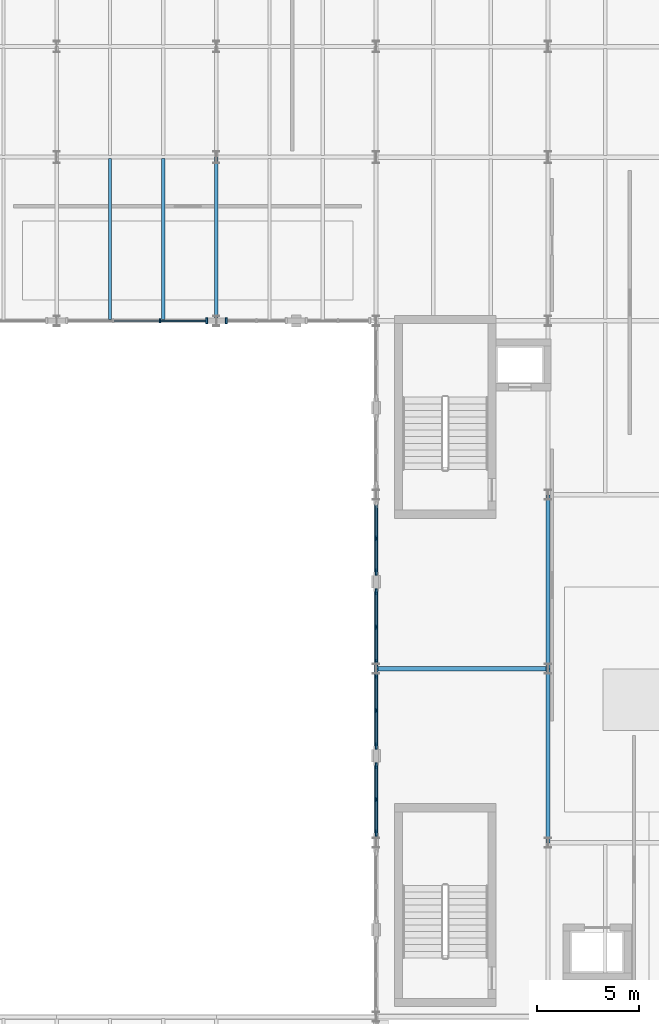
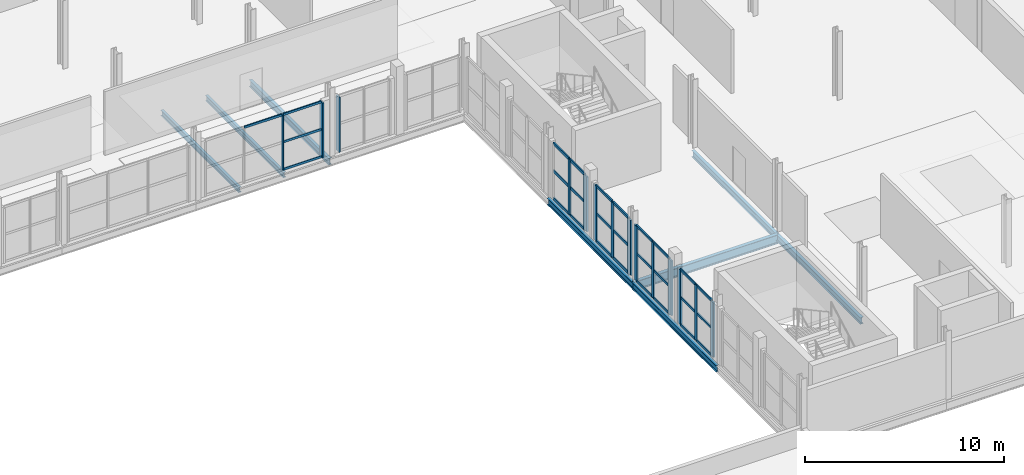
# One storey, part 25 of 58: 42 members, 8 beams, 6 elements without a shape of their own.
"""IFC4 building model written with IfcOpenShell, lengths in metres."""

from ifc_helpers import new_model, si_unit, direction, frame, origin, origin_2d, place, context, subcontext, project, spatial, rectangle, i_section, extrude, material, layer, layer_set, material_profile, profile_set, type_object, element, aggregate, save


model = new_model("IFC4")

# Units and contexts
model_context = context("Model", 3, precision=1e-05, world=origin(), true_north=direction((0.0, 1.0)))
body_context = subcontext(model_context, "Body", "Model", "MODEL_VIEW")
ifc_project = project(units=[si_unit("LENGTHUNIT", "METRE"), si_unit("AREAUNIT", "SQUARE_METRE"), si_unit("VOLUMEUNIT", "CUBIC_METRE"), si_unit("PLANEANGLEUNIT", "RADIAN"), si_unit("MASSUNIT", "GRAM", prefix="KILO")], contexts=[model_context])

# Site, building, storey
site_placement = place(None, origin())
site = spatial("IfcSite", under=ifc_project, at=site_placement, CompositionType="ELEMENT")
building_placement = place(site_placement, origin())
building = spatial("IfcBuilding", under=site, at=building_placement, Name="Sefraquen Railside Congress Hotel", CompositionType="ELEMENT")
storey_placement = place(building_placement, frame((0.0, 0.0, 16.199951171875)))
storey = spatial("IfcBuildingStorey", under=building, at=storey_placement, Name="L03", CompositionType="ELEMENT", Elevation=16.199951171875)

# Beams
ifc_material_1 = material(Name="Steel S355JR", Category="steel")
ifc_material_profile_1 = material_profile(ifc_material_1, i_section(OverallWidth=0.179931640625, OverallDepth=0.39990234375, WebThickness=0.008544921875, FlangeThickness=0.013427734375, FilletRadius=0.02099609375, at=origin_2d()), Name="IPE 400")
ifc_profile_set_1 = profile_set([ifc_material_profile_1], Name="Steel S355JR")
beam_type_1 = type_object("IfcBeamType", Name="TB-BM-400I", PredefinedType="BEAM", material=ifc_profile_set_1)
beam_1_placement = place(storey_placement, frame((95.39990234375, 88.0, -0.47998046875), z_axis=(0.0, 1.0, 0.0), x_axis=(-1.0, 0.0, 0.0)))
element("IfcBeam", 1, at=beam_1_placement, inside=storey, type_object=beam_type_1, Name="Floor beam BM-L03-1215", PredefinedType="BEAM", context=body_context, shape_type="SweptSolid", body=[
    extrude(i_section(OverallWidth=0.179931640625, OverallDepth=0.39990234375, WebThickness=0.008544921875, FlangeThickness=0.013427734375, FilletRadius=0.02099609375, at=origin_2d()), origin(), (0.0, 0.0, 1.0), 8.0),
])
for number, where, z_axis, x_axis, name in (
    (2, (103.199951171875, 62.5, -0.47998046875), (0.0, 1.0, 0.0), (-1.0, 0.0, 0.0), "Floor beam BM-L03-1224"),
    (3, (103.199951171875, 71.0, -0.47998046875), (0.0, 1.0, 0.0), (-1.0, 0.0, 0.0), "Floor beam BM-L03-1225"),
    (4, (111.60009765625, 62.5, -0.47998046875), (0.0, 1.0, 0.0), (-1.0, 0.0, 0.0), "Floor beam BM-L03-1232"),
    (5, (111.60009765625, 71.0, -0.47998046875), (0.0, 1.0, 0.0), (-1.0, 0.0, 0.0), "Floor beam BM-L03-1233"),
):
    element("IfcBeam", number, at=place(storey_placement, frame(where, z_axis=z_axis, x_axis=x_axis)), inside=storey, type_object=beam_type_1, Name=name, PredefinedType="BEAM", context=body_context, shape_type="SweptSolid", body=[
        extrude(i_section(OverallWidth=0.179931640625, OverallDepth=0.39990234375, WebThickness=0.008544921875, FlangeThickness=0.013427734375, FilletRadius=0.02099609375, at=origin_2d()), origin(), (0.0, 0.0, 1.0), 8.5),
    ])
ifc_material_profile_2 = material_profile(ifc_material_1, i_section(OverallWidth=0.2099609375, OverallDepth=0.550048828125, WebThickness=0.010986328125, FlangeThickness=0.01708984375, FilletRadius=0.02392578125, at=origin_2d()), Name="IPE 550")
ifc_profile_set_2 = profile_set([ifc_material_profile_2], Name="Steel S355JR")
beam_type_2 = type_object("IfcBeamType", Name="TB-GIR-550", PredefinedType="T_BEAM", material=ifc_profile_set_2)
beam_2_placement = place(storey_placement, frame((103.199951171875, 71.0, -0.554931640625), z_axis=(1.0, 0.0, 0.0), x_axis=(0.0, 1.0, 0.0)))
element("IfcBeam", 6, at=beam_2_placement, inside=storey, type_object=beam_type_2, Name="Primary girder BM-L03-1044", PredefinedType="T_BEAM", context=body_context, shape_type="SweptSolid", body=[
    extrude(i_section(OverallWidth=0.2099609375, OverallDepth=0.550048828125, WebThickness=0.010986328125, FlangeThickness=0.01708984375, FilletRadius=0.02392578125, at=origin_2d()), origin(), (0.0, 0.0, 1.0), 8.400146484375),
])
ifc_material_profile_3 = material_profile(ifc_material_1, i_section(OverallWidth=0.159912109375, OverallDepth=0.330078125, WebThickness=0.007568359375, FlangeThickness=0.011474609375, FilletRadius=0.01806640625, at=origin_2d()), Name="IPE 330")
ifc_profile_set_3 = profile_set([ifc_material_profile_3], Name="Steel S355JR")
beam_type_3 = type_object("IfcBeamType", Name="TB-JST-330", PredefinedType="JOIST", material=ifc_profile_set_3)
for number, where, z_axis, x_axis, name in (
    (7, (90.199951171875, 88.074951171875, -0.445068359375), (0.0, 1.0, 0.0), (-1.0, 0.0, 0.0), "Composite floor joist BM-L03-J0776"),
    (8, (92.800048828125, 88.074951171875, -0.445068359375), (0.0, 1.0, 0.0), (-1.0, 0.0, 0.0), "Composite floor joist BM-L03-J0777"),
):
    element("IfcBeam", number, at=place(storey_placement, frame(where, z_axis=z_axis, x_axis=x_axis)), inside=storey, type_object=beam_type_3, Name=name, PredefinedType="JOIST", context=body_context, shape_type="SweptSolid", body=[
        extrude(i_section(OverallWidth=0.159912109375, OverallDepth=0.330078125, WebThickness=0.007568359375, FlangeThickness=0.011474609375, FilletRadius=0.01806640625, at=origin_2d()), origin(), (0.0, 0.0, 1.0), 7.85009765625),
    ])

# Curtain wall, member
ifc_material_2 = material(Name="Thermally broken anodised aluminium and low-E double glazing", Category="aluminium")
ifc_layer_1 = layer(ifc_material_2, 0.199951171875)
ifc_layer_set_1 = layer_set([ifc_layer_1], Name="Thermally broken anodised aluminium and low-E double glazing")
curtain_wall_type_1 = type_object("IfcCurtainWallType", Name="TCW-UCW-02", PredefinedType="USERDEFINED", material=ifc_layer_set_1)
curtain_wall_1_placement = place(storey_placement, origin())
curtain_wall_1 = element("IfcCurtainWall", 9, at=curtain_wall_1_placement, inside=storey, type_object=curtain_wall_type_1, Name="Meeting Wing L03 courtyard north curtain wall 3 bay 2", ObjectType="UNITISED CURTAIN WALL", PredefinedType="USERDEFINED")
ifc_material_3 = material(Name="Thermally broken anodised aluminium 6063-T6", Category="aluminium")
ifc_material_profile_4 = material_profile(ifc_material_3, rectangle(XDim=0.070068359375, YDim=0.199951171875, at=origin_2d()), Name="CWM 70x200")
ifc_profile_set_4 = profile_set([ifc_material_profile_4], Name="Thermally broken anodised aluminium 6063-T6")
member_type_1 = type_object("IfcMemberType", Name="TM-CWM-03", PredefinedType="MULLION", material=ifc_profile_set_4)
member_1_placement = place(storey_placement, frame((92.639892578125, 88.0, 0.0), z_axis=(0.0, 0.0, 1.0), x_axis=(1.0, 0.0, 0.0)))
member_1 = element("IfcMember", 10, at=member_1_placement, type_object=member_type_1, Name="CW-L03-066-S2 mullion 3", PredefinedType="MULLION", context=body_context, shape_type="SweptSolid", body=[
    extrude(rectangle(XDim=0.070068359375, YDim=0.199951171875, at=origin_2d()), origin(), (0.0, 0.0, 1.0), 3.3701171875),
])

ifc_layer_2 = layer(ifc_material_2, 0.199951171875)
ifc_layer_set_2 = layer_set([ifc_layer_2], Name="Thermally broken anodised aluminium and low-E double glazing")
curtain_wall_type_2 = type_object("IfcCurtainWallType", Name="TCW-UCW-03", PredefinedType="USERDEFINED", material=ifc_layer_set_2)
curtain_wall_2_placement = place(storey_placement, origin())
curtain_wall_2 = element("IfcCurtainWall", 11, at=curtain_wall_2_placement, inside=storey, type_object=curtain_wall_type_2, Name="Meeting Wing L03 courtyard east curtain wall bay 3", ObjectType="UNITISED CURTAIN WALL", PredefinedType="USERDEFINED")
ifc_material_profile_5 = material_profile(ifc_material_3, rectangle(XDim=0.074951171875, YDim=0.219970703125, at=origin_2d()), Name="CWM 75x220")
ifc_profile_set_5 = profile_set([ifc_material_profile_5], Name="Thermally broken anodised aluminium 6063-T6")
member_type_2 = type_object("IfcMemberType", Name="TM-CWM-04", PredefinedType="MULLION", material=ifc_profile_set_5)
member_2_placement = place(storey_placement, frame((103.199951171875, 64.625, 0.0), z_axis=(0.0, 0.0, 1.0), x_axis=(1.0, 0.0, 0.0)))
member_2 = element("IfcMember", 12, at=member_2_placement, type_object=member_type_2, Name="CW-L03-067-S3 mullion 2", PredefinedType="MULLION", context=body_context, shape_type="SweptSolid", body=[
    extrude(rectangle(XDim=0.074951171875, YDim=0.219970703125, at=origin_2d()), origin(), (0.0, 0.0, 1.0), 3.3701171875),
])

curtain_wall_3_placement = place(storey_placement, origin())
curtain_wall_3 = element("IfcCurtainWall", 13, at=curtain_wall_3_placement, inside=storey, type_object=curtain_wall_type_2, Name="Meeting Wing L03 courtyard east curtain wall bay 4", ObjectType="UNITISED CURTAIN WALL", PredefinedType="USERDEFINED")
member_3_placement = place(storey_placement, frame((103.199951171875, 68.9599609375, 0.0), z_axis=(0.0, 0.0, 1.0), x_axis=(1.0, 0.0, 0.0)))
member_3 = element("IfcMember", 14, at=member_3_placement, type_object=member_type_2, Name="CW-L03-067-S4 mullion 2", PredefinedType="MULLION", context=body_context, shape_type="SweptSolid", body=[
    extrude(rectangle(XDim=0.074951171875, YDim=0.219970703125, at=origin_2d()), origin(), (0.0, 0.0, 1.0), 3.3701171875),
])

ifc_layer_3 = layer(ifc_material_2, 0.199951171875)
ifc_layer_set_3 = layer_set([ifc_layer_3], Name="Thermally broken anodised aluminium and low-E double glazing")
curtain_wall_type_3 = type_object("IfcCurtainWallType", Name="TCW-UCW-04", PredefinedType="USERDEFINED", material=ifc_layer_set_3)
curtain_wall_4_placement = place(storey_placement, origin())
curtain_wall_4 = element("IfcCurtainWall", 15, at=curtain_wall_4_placement, inside=storey, type_object=curtain_wall_type_3, Name="Meeting Wing L03 courtyard east curtain wall", ObjectType="UNITISED CURTAIN WALL", PredefinedType="USERDEFINED")
ifc_material_profile_6 = material_profile(ifc_material_3, rectangle(XDim=0.080078125, YDim=0.239990234375, at=origin_2d()), Name="CWM 80x240")
ifc_profile_set_6 = profile_set([ifc_material_profile_6], Name="Thermally broken anodised aluminium 6063-T6")
member_type_3 = type_object("IfcMemberType", Name="TM-CWM-05", PredefinedType="MULLION", material=ifc_profile_set_6)
member_4_placement = place(storey_placement, frame((103.199951171875, 73.0400390625, 0.0), z_axis=(0.0, 0.0, 1.0), x_axis=(1.0, 0.0, 0.0)))
member_4 = element("IfcMember", 16, at=member_4_placement, type_object=member_type_3, Name="CW-L03-068 mullion 2", PredefinedType="MULLION", context=body_context, shape_type="SweptSolid", body=[
    extrude(rectangle(XDim=0.080078125, YDim=0.239990234375, at=origin_2d()), origin(), (0.0, 0.0, 1.0), 3.3701171875),
])

curtain_wall_5_placement = place(storey_placement, origin())
curtain_wall_5 = element("IfcCurtainWall", 17, at=curtain_wall_5_placement, inside=storey, type_object=curtain_wall_type_3, Name="Meeting Wing L03 courtyard east curtain wall bay 2", ObjectType="UNITISED CURTAIN WALL", PredefinedType="USERDEFINED")
member_5_placement = place(storey_placement, frame((103.199951171875, 77.375, 0.0), z_axis=(0.0, 0.0, 1.0), x_axis=(1.0, 0.0, 0.0)))
member_5 = element("IfcMember", 18, at=member_5_placement, type_object=member_type_3, Name="CW-L03-068-S2 mullion 2", PredefinedType="MULLION", context=body_context, shape_type="SweptSolid", body=[
    extrude(rectangle(XDim=0.080078125, YDim=0.239990234375, at=origin_2d()), origin(), (0.0, 0.0, 1.0), 3.3701171875),
])

# Member
ifc_material_profile_7 = material_profile(ifc_material_3, rectangle(XDim=0.094970703125, YDim=0.300048828125, at=origin_2d()), Name="CWM 95x300")
ifc_profile_set_7 = profile_set([ifc_material_profile_7], Name="Thermally broken anodised aluminium 6063-T6")
member_type_4 = type_object("IfcMemberType", Name="TM-CWM-08", PredefinedType="MULLION", material=ifc_profile_set_7)
member_6_placement = place(storey_placement, frame((94.919921875, 88.0, 0.0), z_axis=(0.0, 0.0, 1.0), x_axis=(1.0, 0.0, 0.0)))
member_6 = element("IfcMember", 19, at=member_6_placement, type_object=member_type_4, Name="CW-L03-066-S2 mullion 4", PredefinedType="MULLION", context=body_context, shape_type="SweptSolid", body=[
    extrude(rectangle(XDim=0.094970703125, YDim=0.300048828125, at=origin_2d()), origin(), (0.0, 0.0, 1.0), 3.3701171875),
])

# Curtain wall, member
curtain_wall_6_placement = place(storey_placement, origin())
curtain_wall_6 = element("IfcCurtainWall", 20, at=curtain_wall_6_placement, inside=storey, type_object=curtain_wall_type_1, Name="Meeting Wing L03 courtyard north curtain wall 3 bay 3", ObjectType="UNITISED CURTAIN WALL", PredefinedType="USERDEFINED")
member_7_placement = place(storey_placement, frame((95.8798828125, 88.0, 0.0), z_axis=(0.0, 0.0, 1.0), x_axis=(1.0, 0.0, 0.0)))
member_7 = element("IfcMember", 21, at=member_7_placement, type_object=member_type_4, Name="CW-L03-066-S3 mullion 1", PredefinedType="MULLION", context=body_context, shape_type="SweptSolid", body=[
    extrude(rectangle(XDim=0.094970703125, YDim=0.300048828125, at=origin_2d()), origin(), (0.0, 0.0, 1.0), 3.3701171875),
])
aggregate(curtain_wall_6, [member_7])

# Member
member_8_placement = place(storey_placement, frame((103.199951171875, 62.97998046875, 0.0), z_axis=(0.0, 0.0, 1.0), x_axis=(1.0, 0.0, 0.0)))
member_8 = element("IfcMember", 22, at=member_8_placement, type_object=member_type_4, Name="CW-L03-067-S3 mullion 1", PredefinedType="MULLION", context=body_context, shape_type="SweptSolid", body=[
    extrude(rectangle(XDim=0.094970703125, YDim=0.300048828125, at=origin_2d()), origin(), (0.0, 0.0, 1.0), 3.3701171875),
])

member_9_placement = place(storey_placement, frame((103.199951171875, 66.27001953125, 0.0), z_axis=(0.0, 0.0, 1.0), x_axis=(1.0, 0.0, 0.0)))
member_9 = element("IfcMember", 23, at=member_9_placement, type_object=member_type_4, Name="CW-L03-067-S3 mullion 3", PredefinedType="MULLION", context=body_context, shape_type="SweptSolid", body=[
    extrude(rectangle(XDim=0.094970703125, YDim=0.300048828125, at=origin_2d()), origin(), (0.0, 0.0, 1.0), 3.3701171875),
])

member_10_placement = place(storey_placement, frame((103.199951171875, 67.22998046875, 0.0), z_axis=(0.0, 0.0, 1.0), x_axis=(1.0, 0.0, 0.0)))
member_10 = element("IfcMember", 24, at=member_10_placement, type_object=member_type_4, Name="CW-L03-067-S4 mullion 1", PredefinedType="MULLION", context=body_context, shape_type="SweptSolid", body=[
    extrude(rectangle(XDim=0.094970703125, YDim=0.300048828125, at=origin_2d()), origin(), (0.0, 0.0, 1.0), 3.3701171875),
])

member_11_placement = place(storey_placement, frame((103.199951171875, 70.68994140625, 0.0), z_axis=(0.0, 0.0, 1.0), x_axis=(1.0, 0.0, 0.0)))
member_11 = element("IfcMember", 25, at=member_11_placement, type_object=member_type_4, Name="CW-L03-067-S4 mullion 3", PredefinedType="MULLION", context=body_context, shape_type="SweptSolid", body=[
    extrude(rectangle(XDim=0.094970703125, YDim=0.300048828125, at=origin_2d()), origin(), (0.0, 0.0, 1.0), 3.3701171875),
])

member_12_placement = place(storey_placement, frame((103.199951171875, 71.31005859375, 0.0), z_axis=(0.0, 0.0, 1.0), x_axis=(1.0, 0.0, 0.0)))
member_12 = element("IfcMember", 26, at=member_12_placement, type_object=member_type_4, Name="CW-L03-068 mullion 1", PredefinedType="MULLION", context=body_context, shape_type="SweptSolid", body=[
    extrude(rectangle(XDim=0.094970703125, YDim=0.300048828125, at=origin_2d()), origin(), (0.0, 0.0, 1.0), 3.3701171875),
])

member_13_placement = place(storey_placement, frame((103.199951171875, 74.77001953125, 0.0), z_axis=(0.0, 0.0, 1.0), x_axis=(1.0, 0.0, 0.0)))
member_13 = element("IfcMember", 27, at=member_13_placement, type_object=member_type_4, Name="CW-L03-068 mullion 3", PredefinedType="MULLION", context=body_context, shape_type="SweptSolid", body=[
    extrude(rectangle(XDim=0.094970703125, YDim=0.300048828125, at=origin_2d()), origin(), (0.0, 0.0, 1.0), 3.3701171875),
])

member_14_placement = place(storey_placement, frame((103.199951171875, 75.72998046875, 0.0), z_axis=(0.0, 0.0, 1.0), x_axis=(1.0, 0.0, 0.0)))
member_14 = element("IfcMember", 28, at=member_14_placement, type_object=member_type_4, Name="CW-L03-068-S2 mullion 1", PredefinedType="MULLION", context=body_context, shape_type="SweptSolid", body=[
    extrude(rectangle(XDim=0.094970703125, YDim=0.300048828125, at=origin_2d()), origin(), (0.0, 0.0, 1.0), 3.3701171875),
])

ifc_material_profile_8 = material_profile(ifc_material_3, rectangle(XDim=0.06494140625, YDim=0.135009765625, at=origin_2d()), Name="CWT 65x135")
ifc_profile_set_8 = profile_set([ifc_material_profile_8], Name="Thermally broken anodised aluminium 6063-T6")
member_type_5 = type_object("IfcMemberType", Name="TM-CWT-02", PredefinedType="USERDEFINED", material=ifc_profile_set_8)
member_15_placement = place(storey_placement, frame((92.68505859375, 88.0, 0.0), z_axis=(1.0, 0.0, 0.0), x_axis=(0.0, 1.0, 0.0)))
member_15 = element("IfcMember", 29, at=member_15_placement, type_object=member_type_5, Name="CW-L03-066-S2 transom 1.3", ObjectType="TRANSOM", PredefinedType="USERDEFINED", context=body_context, shape_type="SweptSolid", body=[
    extrude(rectangle(XDim=0.06494140625, YDim=0.135009765625, at=origin_2d()), origin(), (0.0, 0.0, 1.0), 2.18994140625),
])

member_16_placement = place(storey_placement, frame((92.68505859375, 88.0, 1.68505859375), z_axis=(1.0, 0.0, 0.0), x_axis=(0.0, 1.0, 0.0)))
member_16 = element("IfcMember", 30, at=member_16_placement, type_object=member_type_5, Name="CW-L03-066-S2 transom 2.3", ObjectType="TRANSOM", PredefinedType="USERDEFINED", context=body_context, shape_type="SweptSolid", body=[
    extrude(rectangle(XDim=0.06494140625, YDim=0.135009765625, at=origin_2d()), origin(), (0.0, 0.0, 1.0), 2.18994140625),
])

member_17_placement = place(storey_placement, frame((90.405029296875, 88.0, 3.3701171875), z_axis=(1.0, 0.0, 0.0), x_axis=(0.0, 1.0, 0.0)))
member_17 = element("IfcMember", 31, at=member_17_placement, type_object=member_type_5, Name="CW-L03-066-S2 transom 3.2", ObjectType="TRANSOM", PredefinedType="USERDEFINED", context=body_context, shape_type="SweptSolid", body=[
    extrude(rectangle(XDim=0.06494140625, YDim=0.135009765625, at=origin_2d()), origin(), (0.0, 0.0, 1.0), 2.18994140625),
])

member_18_placement = place(storey_placement, frame((92.68505859375, 88.0, 3.3701171875), z_axis=(1.0, 0.0, 0.0), x_axis=(0.0, 1.0, 0.0)))
member_18 = element("IfcMember", 32, at=member_18_placement, type_object=member_type_5, Name="CW-L03-066-S2 transom 3.3", ObjectType="TRANSOM", PredefinedType="USERDEFINED", context=body_context, shape_type="SweptSolid", body=[
    extrude(rectangle(XDim=0.06494140625, YDim=0.135009765625, at=origin_2d()), origin(), (0.0, 0.0, 1.0), 2.18994140625),
])

aggregate(curtain_wall_1, [member_1, member_6, member_15, member_16, member_17, member_18])

ifc_material_profile_9 = material_profile(ifc_material_3, rectangle(XDim=0.070068359375, YDim=0.14990234375, at=origin_2d()), Name="CWT 70x150")
ifc_profile_set_9 = profile_set([ifc_material_profile_9], Name="Thermally broken anodised aluminium 6063-T6")
member_type_6 = type_object("IfcMemberType", Name="TM-CWT-03", PredefinedType="USERDEFINED", material=ifc_profile_set_9)
member_19_placement = place(storey_placement, frame((103.199951171875, 63.02490234375, 0.0), z_axis=(0.0, 1.0, 0.0), x_axis=(-1.0, 0.0, 0.0)))
member_19 = element("IfcMember", 33, at=member_19_placement, type_object=member_type_6, Name="CW-L03-067-S3 transom 1.1", ObjectType="TRANSOM", PredefinedType="USERDEFINED", context=body_context, shape_type="SweptSolid", body=[
    extrude(rectangle(XDim=0.070068359375, YDim=0.14990234375, at=origin_2d()), origin(), (0.0, 0.0, 1.0), 1.55517578125),
])

member_20_placement = place(storey_placement, frame((103.199951171875, 64.669921875, 0.0), z_axis=(0.0, 1.0, 0.0), x_axis=(-1.0, 0.0, 0.0)))
member_20 = element("IfcMember", 34, at=member_20_placement, type_object=member_type_6, Name="CW-L03-067-S3 transom 1.2", ObjectType="TRANSOM", PredefinedType="USERDEFINED", context=body_context, shape_type="SweptSolid", body=[
    extrude(rectangle(XDim=0.070068359375, YDim=0.14990234375, at=origin_2d()), origin(), (0.0, 0.0, 1.0), 1.55517578125),
])

member_21_placement = place(storey_placement, frame((103.199951171875, 63.02490234375, 1.68505859375), z_axis=(0.0, 1.0, 0.0), x_axis=(-1.0, 0.0, 0.0)))
member_21 = element("IfcMember", 35, at=member_21_placement, type_object=member_type_6, Name="CW-L03-067-S3 transom 2.1", ObjectType="TRANSOM", PredefinedType="USERDEFINED", context=body_context, shape_type="SweptSolid", body=[
    extrude(rectangle(XDim=0.070068359375, YDim=0.14990234375, at=origin_2d()), origin(), (0.0, 0.0, 1.0), 1.55517578125),
])

member_22_placement = place(storey_placement, frame((103.199951171875, 64.669921875, 1.68505859375), z_axis=(0.0, 1.0, 0.0), x_axis=(-1.0, 0.0, 0.0)))
member_22 = element("IfcMember", 36, at=member_22_placement, type_object=member_type_6, Name="CW-L03-067-S3 transom 2.2", ObjectType="TRANSOM", PredefinedType="USERDEFINED", context=body_context, shape_type="SweptSolid", body=[
    extrude(rectangle(XDim=0.070068359375, YDim=0.14990234375, at=origin_2d()), origin(), (0.0, 0.0, 1.0), 1.55517578125),
])

member_23_placement = place(storey_placement, frame((103.199951171875, 63.02490234375, 3.3701171875), z_axis=(0.0, 1.0, 0.0), x_axis=(-1.0, 0.0, 0.0)))
member_23 = element("IfcMember", 37, at=member_23_placement, type_object=member_type_6, Name="CW-L03-067-S3 transom 3.1", ObjectType="TRANSOM", PredefinedType="USERDEFINED", context=body_context, shape_type="SweptSolid", body=[
    extrude(rectangle(XDim=0.070068359375, YDim=0.14990234375, at=origin_2d()), origin(), (0.0, 0.0, 1.0), 1.55517578125),
])

member_24_placement = place(storey_placement, frame((103.199951171875, 64.669921875, 3.3701171875), z_axis=(0.0, 1.0, 0.0), x_axis=(-1.0, 0.0, 0.0)))
member_24 = element("IfcMember", 38, at=member_24_placement, type_object=member_type_6, Name="CW-L03-067-S3 transom 3.2", ObjectType="TRANSOM", PredefinedType="USERDEFINED", context=body_context, shape_type="SweptSolid", body=[
    extrude(rectangle(XDim=0.070068359375, YDim=0.14990234375, at=origin_2d()), origin(), (0.0, 0.0, 1.0), 1.55517578125),
])

aggregate(curtain_wall_2, [member_8, member_2, member_9, member_19, member_20, member_21, member_22, member_23, member_24])

member_25_placement = place(storey_placement, frame((103.199951171875, 67.27490234375, 0.0), z_axis=(0.0, 1.0, 0.0), x_axis=(-1.0, 0.0, 0.0)))
member_25 = element("IfcMember", 39, at=member_25_placement, type_object=member_type_6, Name="CW-L03-067-S4 transom 1.1", ObjectType="TRANSOM", PredefinedType="USERDEFINED", context=body_context, shape_type="SweptSolid", body=[
    extrude(rectangle(XDim=0.070068359375, YDim=0.14990234375, at=origin_2d()), origin(), (0.0, 0.0, 1.0), 1.64013671875),
])

member_26_placement = place(storey_placement, frame((103.199951171875, 69.0048828125, 0.0), z_axis=(0.0, 1.0, 0.0), x_axis=(-1.0, 0.0, 0.0)))
member_26 = element("IfcMember", 40, at=member_26_placement, type_object=member_type_6, Name="CW-L03-067-S4 transom 1.2", ObjectType="TRANSOM", PredefinedType="USERDEFINED", context=body_context, shape_type="SweptSolid", body=[
    extrude(rectangle(XDim=0.070068359375, YDim=0.14990234375, at=origin_2d()), origin(), (0.0, 0.0, 1.0), 1.64013671875),
])

member_27_placement = place(storey_placement, frame((103.199951171875, 67.27490234375, 1.68505859375), z_axis=(0.0, 1.0, 0.0), x_axis=(-1.0, 0.0, 0.0)))
member_27 = element("IfcMember", 41, at=member_27_placement, type_object=member_type_6, Name="CW-L03-067-S4 transom 2.1", ObjectType="TRANSOM", PredefinedType="USERDEFINED", context=body_context, shape_type="SweptSolid", body=[
    extrude(rectangle(XDim=0.070068359375, YDim=0.14990234375, at=origin_2d()), origin(), (0.0, 0.0, 1.0), 1.64013671875),
])

member_28_placement = place(storey_placement, frame((103.199951171875, 69.0048828125, 1.68505859375), z_axis=(0.0, 1.0, 0.0), x_axis=(-1.0, 0.0, 0.0)))
member_28 = element("IfcMember", 42, at=member_28_placement, type_object=member_type_6, Name="CW-L03-067-S4 transom 2.2", ObjectType="TRANSOM", PredefinedType="USERDEFINED", context=body_context, shape_type="SweptSolid", body=[
    extrude(rectangle(XDim=0.070068359375, YDim=0.14990234375, at=origin_2d()), origin(), (0.0, 0.0, 1.0), 1.64013671875),
])

member_29_placement = place(storey_placement, frame((103.199951171875, 67.27490234375, 3.3701171875), z_axis=(0.0, 1.0, 0.0), x_axis=(-1.0, 0.0, 0.0)))
member_29 = element("IfcMember", 43, at=member_29_placement, type_object=member_type_6, Name="CW-L03-067-S4 transom 3.1", ObjectType="TRANSOM", PredefinedType="USERDEFINED", context=body_context, shape_type="SweptSolid", body=[
    extrude(rectangle(XDim=0.070068359375, YDim=0.14990234375, at=origin_2d()), origin(), (0.0, 0.0, 1.0), 1.64013671875),
])

member_30_placement = place(storey_placement, frame((103.199951171875, 69.0048828125, 3.3701171875), z_axis=(0.0, 1.0, 0.0), x_axis=(-1.0, 0.0, 0.0)))
member_30 = element("IfcMember", 44, at=member_30_placement, type_object=member_type_6, Name="CW-L03-067-S4 transom 3.2", ObjectType="TRANSOM", PredefinedType="USERDEFINED", context=body_context, shape_type="SweptSolid", body=[
    extrude(rectangle(XDim=0.070068359375, YDim=0.14990234375, at=origin_2d()), origin(), (0.0, 0.0, 1.0), 1.64013671875),
])

aggregate(curtain_wall_3, [member_10, member_3, member_11, member_25, member_26, member_27, member_28, member_29, member_30])

ifc_material_profile_10 = material_profile(ifc_material_3, rectangle(XDim=0.074951171875, YDim=0.1650390625, at=origin_2d()), Name="CWT 75x165")
ifc_profile_set_10 = profile_set([ifc_material_profile_10], Name="Thermally broken anodised aluminium 6063-T6")
member_type_7 = type_object("IfcMemberType", Name="TM-CWT-04", PredefinedType="USERDEFINED", material=ifc_profile_set_10)
member_31_placement = place(storey_placement, frame((103.199951171875, 71.35498046875, 0.0), z_axis=(0.0, 1.0, 0.0), x_axis=(-1.0, 0.0, 0.0)))
member_31 = element("IfcMember", 45, at=member_31_placement, type_object=member_type_7, Name="CW-L03-068 transom 1.1", ObjectType="TRANSOM", PredefinedType="USERDEFINED", context=body_context, shape_type="SweptSolid", body=[
    extrude(rectangle(XDim=0.074951171875, YDim=0.1650390625, at=origin_2d()), origin(), (0.0, 0.0, 1.0), 1.64013671875),
])

member_32_placement = place(storey_placement, frame((103.199951171875, 73.0849609375, 0.0), z_axis=(0.0, 1.0, 0.0), x_axis=(-1.0, 0.0, 0.0)))
member_32 = element("IfcMember", 46, at=member_32_placement, type_object=member_type_7, Name="CW-L03-068 transom 1.2", ObjectType="TRANSOM", PredefinedType="USERDEFINED", context=body_context, shape_type="SweptSolid", body=[
    extrude(rectangle(XDim=0.074951171875, YDim=0.1650390625, at=origin_2d()), origin(), (0.0, 0.0, 1.0), 1.64013671875),
])

member_33_placement = place(storey_placement, frame((103.199951171875, 71.35498046875, 1.68505859375), z_axis=(0.0, 1.0, 0.0), x_axis=(-1.0, 0.0, 0.0)))
member_33 = element("IfcMember", 47, at=member_33_placement, type_object=member_type_7, Name="CW-L03-068 transom 2.1", ObjectType="TRANSOM", PredefinedType="USERDEFINED", context=body_context, shape_type="SweptSolid", body=[
    extrude(rectangle(XDim=0.074951171875, YDim=0.1650390625, at=origin_2d()), origin(), (0.0, 0.0, 1.0), 1.64013671875),
])

member_34_placement = place(storey_placement, frame((103.199951171875, 73.0849609375, 1.68505859375), z_axis=(0.0, 1.0, 0.0), x_axis=(-1.0, 0.0, 0.0)))
member_34 = element("IfcMember", 48, at=member_34_placement, type_object=member_type_7, Name="CW-L03-068 transom 2.2", ObjectType="TRANSOM", PredefinedType="USERDEFINED", context=body_context, shape_type="SweptSolid", body=[
    extrude(rectangle(XDim=0.074951171875, YDim=0.1650390625, at=origin_2d()), origin(), (0.0, 0.0, 1.0), 1.64013671875),
])

member_35_placement = place(storey_placement, frame((103.199951171875, 71.35498046875, 3.3701171875), z_axis=(0.0, 1.0, 0.0), x_axis=(-1.0, 0.0, 0.0)))
member_35 = element("IfcMember", 49, at=member_35_placement, type_object=member_type_7, Name="CW-L03-068 transom 3.1", ObjectType="TRANSOM", PredefinedType="USERDEFINED", context=body_context, shape_type="SweptSolid", body=[
    extrude(rectangle(XDim=0.074951171875, YDim=0.1650390625, at=origin_2d()), origin(), (0.0, 0.0, 1.0), 1.64013671875),
])

member_36_placement = place(storey_placement, frame((103.199951171875, 73.0849609375, 3.3701171875), z_axis=(0.0, 1.0, 0.0), x_axis=(-1.0, 0.0, 0.0)))
member_36 = element("IfcMember", 50, at=member_36_placement, type_object=member_type_7, Name="CW-L03-068 transom 3.2", ObjectType="TRANSOM", PredefinedType="USERDEFINED", context=body_context, shape_type="SweptSolid", body=[
    extrude(rectangle(XDim=0.074951171875, YDim=0.1650390625, at=origin_2d()), origin(), (0.0, 0.0, 1.0), 1.64013671875),
])

aggregate(curtain_wall_4, [member_12, member_4, member_13, member_31, member_32, member_33, member_34, member_35, member_36])

member_37_placement = place(storey_placement, frame((103.199951171875, 75.77490234375, 0.0), z_axis=(0.0, 1.0, 0.0), x_axis=(-1.0, 0.0, 0.0)))
member_37 = element("IfcMember", 51, at=member_37_placement, type_object=member_type_7, Name="CW-L03-068-S2 transom 1.1", ObjectType="TRANSOM", PredefinedType="USERDEFINED", context=body_context, shape_type="SweptSolid", body=[
    extrude(rectangle(XDim=0.074951171875, YDim=0.1650390625, at=origin_2d()), origin(), (0.0, 0.0, 1.0), 1.55517578125),
])

member_38_placement = place(storey_placement, frame((103.199951171875, 77.419921875, 0.0), z_axis=(0.0, 1.0, 0.0), x_axis=(-1.0, 0.0, 0.0)))
member_38 = element("IfcMember", 52, at=member_38_placement, type_object=member_type_7, Name="CW-L03-068-S2 transom 1.2", ObjectType="TRANSOM", PredefinedType="USERDEFINED", context=body_context, shape_type="SweptSolid", body=[
    extrude(rectangle(XDim=0.074951171875, YDim=0.1650390625, at=origin_2d()), origin(), (0.0, 0.0, 1.0), 1.55517578125),
])

member_39_placement = place(storey_placement, frame((103.199951171875, 75.77490234375, 1.68505859375), z_axis=(0.0, 1.0, 0.0), x_axis=(-1.0, 0.0, 0.0)))
member_39 = element("IfcMember", 53, at=member_39_placement, type_object=member_type_7, Name="CW-L03-068-S2 transom 2.1", ObjectType="TRANSOM", PredefinedType="USERDEFINED", context=body_context, shape_type="SweptSolid", body=[
    extrude(rectangle(XDim=0.074951171875, YDim=0.1650390625, at=origin_2d()), origin(), (0.0, 0.0, 1.0), 1.55517578125),
])

member_40_placement = place(storey_placement, frame((103.199951171875, 77.419921875, 1.68505859375), z_axis=(0.0, 1.0, 0.0), x_axis=(-1.0, 0.0, 0.0)))
member_40 = element("IfcMember", 54, at=member_40_placement, type_object=member_type_7, Name="CW-L03-068-S2 transom 2.2", ObjectType="TRANSOM", PredefinedType="USERDEFINED", context=body_context, shape_type="SweptSolid", body=[
    extrude(rectangle(XDim=0.074951171875, YDim=0.1650390625, at=origin_2d()), origin(), (0.0, 0.0, 1.0), 1.55517578125),
])

member_41_placement = place(storey_placement, frame((103.199951171875, 75.77490234375, 3.3701171875), z_axis=(0.0, 1.0, 0.0), x_axis=(-1.0, 0.0, 0.0)))
member_41 = element("IfcMember", 55, at=member_41_placement, type_object=member_type_7, Name="CW-L03-068-S2 transom 3.1", ObjectType="TRANSOM", PredefinedType="USERDEFINED", context=body_context, shape_type="SweptSolid", body=[
    extrude(rectangle(XDim=0.074951171875, YDim=0.1650390625, at=origin_2d()), origin(), (0.0, 0.0, 1.0), 1.55517578125),
])

member_42_placement = place(storey_placement, frame((103.199951171875, 77.419921875, 3.3701171875), z_axis=(0.0, 1.0, 0.0), x_axis=(-1.0, 0.0, 0.0)))
member_42 = element("IfcMember", 56, at=member_42_placement, type_object=member_type_7, Name="CW-L03-068-S2 transom 3.2", ObjectType="TRANSOM", PredefinedType="USERDEFINED", context=body_context, shape_type="SweptSolid", body=[
    extrude(rectangle(XDim=0.074951171875, YDim=0.1650390625, at=origin_2d()), origin(), (0.0, 0.0, 1.0), 1.55517578125),
])

aggregate(curtain_wall_5, [member_14, member_5, member_37, member_38, member_39, member_40, member_41, member_42])

save(model, "model.ifc")
